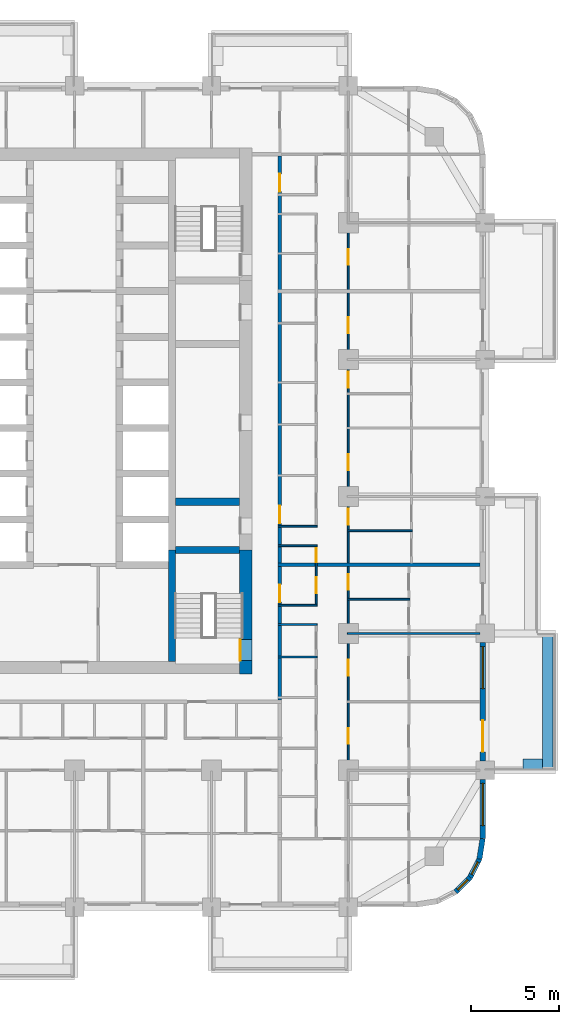
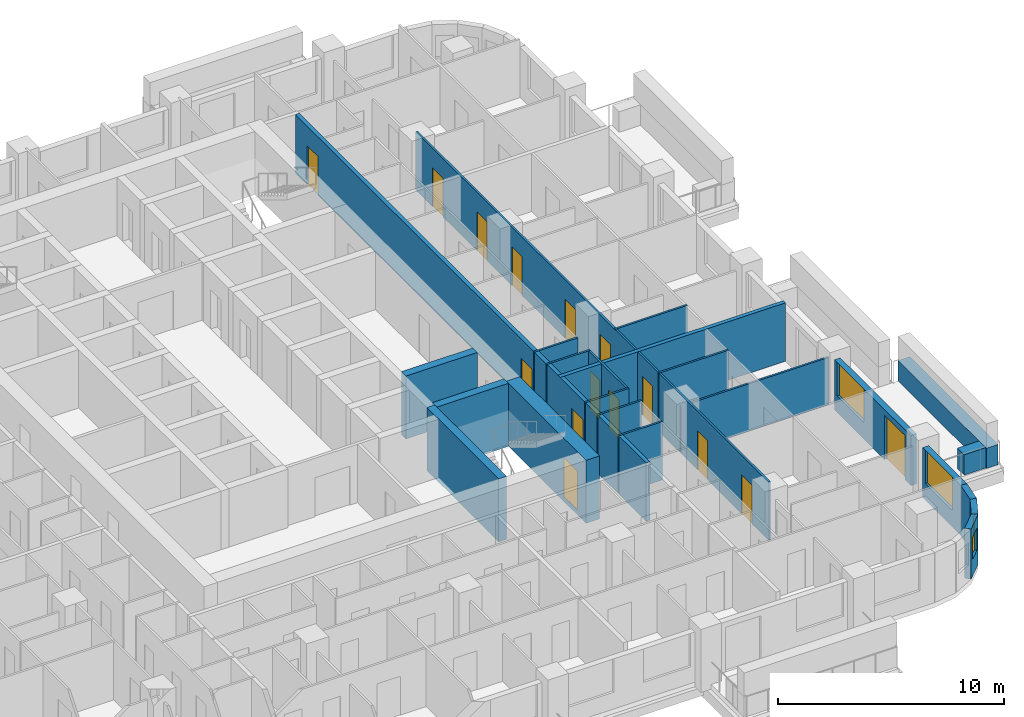
# One storey, part 8 of 17: 23 walls, 15 doors, 4 windows, 19 openings.
"""IFC4 building model written with IfcOpenShell, lengths in metres."""

from ifc_helpers import new_model, si_unit, direction, frame, frame_2d, origin, place, context, subcontext, project, spatial, rectangle, extrude, material, layer, layer_set, type_object, element, fill, save


model = new_model("IFC4")

# Units and contexts
model_context = context("Model", 3, precision=1e-05, world=origin(), true_north=direction((0.0, 1.0)))
body_context = subcontext(model_context, "Body", "Model", "MODEL_VIEW")
ifc_project = project(units=[si_unit("LENGTHUNIT", "METRE"), si_unit("AREAUNIT", "SQUARE_METRE"), si_unit("VOLUMEUNIT", "CUBIC_METRE"), si_unit("PLANEANGLEUNIT", "RADIAN"), si_unit("MASSUNIT", "GRAM", prefix="KILO")], contexts=[model_context])

# Site, building, storey
site_placement = place(None, origin())
site = spatial("IfcSite", under=ifc_project, at=site_placement, CompositionType="ELEMENT")
building_placement = place(site_placement, origin())
building = spatial("IfcBuilding", under=site, at=building_placement, Name="Ludao Terraces", CompositionType="ELEMENT")
storey_placement = place(building_placement, frame((0.0, 0.0, 22.89990234375)))
storey = spatial("IfcBuildingStorey", under=building, at=storey_placement, Name="L05", CompositionType="ELEMENT", Elevation=22.89990234375)

# Wall, opening, door
ifc_material_1 = material(Name="Concrete C70", Category="concrete")
ifc_layer_1 = layer(ifc_material_1, 0.699951171875)
ifc_layer_set_1 = layer_set([ifc_layer_1], Name="Core wall 700 C70")
wall_type_1 = type_object("IfcWallType", Name="Core wall 700 C70", PredefinedType="SOLIDWALL", material=ifc_layer_set_1)
wall_1_placement = place(storey_placement, frame((94.75, 54.89990234375, -0.25), z_axis=(0.0, 0.0, 1.0), x_axis=(0.0, 1.0, 0.0)))
wall_1 = element("IfcWall", 1, at=wall_1_placement, inside=storey, type_object=wall_type_1, Name="Core wall L05 outer-E-S3", PredefinedType="SOLIDWALL", context=body_context, shape_type="SweptSolid", body=[
    extrude(rectangle(XDim=7.050048828125, YDim=0.699951171875, at=frame_2d((3.52490234375, 0.0))), origin(), (0.0, 0.0, 1.0), 3.400146484375),
])
opening_1_placement = place(wall_1_placement, frame((0.75, 0.0, 0.25)))
opening_1 = element("IfcOpeningElement", 2, at=opening_1_placement, cuts=wall_1, Name="Opening R01-057", PredefinedType="OPENING", context=body_context, shape_type="SweptSolid", body=[
    extrude(rectangle(XDim=1.199951171875, YDim=2.10009765625, at=frame_2d((0.60009765625, 1.050048828125))), frame((0.0, 0.35986328125, 0.0), z_axis=(0.0, -1.0, 0.0), x_axis=(1.0, 0.0, 0.0)), (0.0, 0.0, 1.0), 0.719970703125),
])
ifc_material_2 = material(Name="Steel Q235", Category="steel")
door_type_1 = type_object("IfcDoorType", Name="INT Stair door 1200", OperationType="DOUBLE_DOOR_SINGLE_SWING", PredefinedType="DOOR", material=ifc_material_2)
door_1_placement = place(opening_1_placement, origin())
door_1 = element("IfcDoor", 3, at=door_1_placement, inside=storey, type_object=door_type_1, Name="DOOR 057", OperationType="DOUBLE_DOOR_SINGLE_SWING", OverallHeight=2.10009765625, OverallWidth=1.199951171875, PredefinedType="DOOR", context=body_context, shape_type="SweptSolid", body=[
    extrude(rectangle(XDim=1.199951171875, YDim=2.10009765625, at=frame_2d((0.60009765625, 1.050048828125))), frame((0.0, 0.3349609375, 0.0), z_axis=(0.0, -1.0, 0.0), x_axis=(1.0, 0.0, 0.0)), (0.0, 0.0, 1.0), 0.050048828125),
])
fill(opening_1, door_1)

# Walls
ifc_material_3 = material(Name="Concrete C40", Category="concrete")
ifc_layer_2 = layer(ifc_material_3, 0.60009765625)
ifc_layer_set_2 = layer_set([ifc_layer_2], Name="ENV Planter trough 600")
wall_type_2 = type_object("IfcWallType", Name="ENV Planter trough 600", PredefinedType="USERDEFINED", material=ifc_layer_set_2)
wall_2_placement = place(storey_placement, frame((111.949951171875, 49.39990234375, 0.0), z_axis=(0.0, 0.0, 1.0), x_axis=(0.0, 1.0, 0.0)))
element("IfcWall", 4, at=wall_2_placement, inside=storey, type_object=wall_type_2, Name="PL-L05-E1", ObjectType="PLANTER", PredefinedType="USERDEFINED", context=body_context, shape_type="SweptSolid", body=[
    extrude(rectangle(XDim=7.800048828125, YDim=0.60009765625, at=frame_2d((3.89990234375, 0.0))), origin(), (0.0, 0.0, 1.0), 1.10009765625),
])
wall_3_placement = place(storey_placement, frame((111.64990234375, 49.75, 0.0), z_axis=(0.0, 0.0, 1.0), x_axis=(-1.0, 0.0, 0.0)))
element("IfcWall", 5, at=wall_3_placement, inside=storey, type_object=wall_type_2, Name="PL-L05-E1-SA", ObjectType="PLANTER", PredefinedType="USERDEFINED", context=body_context, shape_type="SweptSolid", body=[
    extrude(rectangle(XDim=1.099853515625, YDim=0.60009765625, at=frame_2d((0.5498046875, 0.0))), origin(), (0.0, 0.0, 1.0), 1.10009765625),
])

# Wall, opening, window
ifc_material_4 = material(Name="Granite cladding", Category="masonry")
ifc_layer_3 = layer(ifc_material_4, 0.0400390625, Category="stone")
ifc_material_5 = material(Name="Mineral wool")
ifc_layer_4 = layer(ifc_material_5, 0.06005859375)
ifc_layer_5 = layer(ifc_material_3, 0.199951171875, Category="concrete")
ifc_layer_set_3 = layer_set([ifc_layer_3, ifc_layer_4, ifc_layer_5], Name="ENV Stone-clad wall 300")
wall_type_3 = type_object("IfcWallType", Name="ENV Stone-clad wall 300", PredefinedType="SOLIDWALL", material=ifc_layer_set_3)
wall_4_placement = place(storey_placement, frame((108.25, 45.5, 0.0), z_axis=(0.0, 0.0, 1.0), x_axis=(0.0, 1.0, 0.0)))
wall_4 = element("IfcWall", 6, at=wall_4_placement, inside=storey, type_object=wall_type_3, Name="EW-L05-E1", PredefinedType="SOLIDWALL", context=body_context, shape_type="SweptSolid", body=[
    extrude(rectangle(XDim=3.375, YDim=0.300048828125, at=frame_2d((1.6875, 0.0))), origin(), (0.0, 0.0, 1.0), 2.7001953125),
])
opening_2_placement = place(wall_4_placement, frame((0.75, 0.0, 0.89990234375)))
opening_2 = element("IfcOpeningElement", 7, at=opening_2_placement, cuts=wall_4, Name="Opening W1", PredefinedType="OPENING", context=body_context, shape_type="SweptSolid", body=[
    extrude(rectangle(XDim=2.39990234375, YDim=1.800048828125, at=frame_2d((1.199951171875, 0.89990234375))), frame((0.0, 0.16015625, 0.0), z_axis=(0.0, -1.0, 0.0), x_axis=(1.0, 0.0, 0.0)), (0.0, 0.0, 1.0), 0.320068359375),
])
ifc_material_6 = material(Name="Clear glass in aluminium frame", Category="aluminium")
ifc_layer_6 = layer(ifc_material_6, 0.06005859375)
ifc_layer_set_4 = layer_set([ifc_layer_6], Name="ENV Window W1 2400x1800")
window_type_1 = type_object("IfcWindowType", Name="ENV Window W1 2400x1800", PartitioningType="DOUBLE_PANEL_VERTICAL", PredefinedType="WINDOW", material=ifc_layer_set_4)
window_1_placement = place(opening_2_placement, origin())
window_1 = element("IfcWindow", 8, at=window_1_placement, inside=storey, type_object=window_type_1, Name="W-L05-E1-1", OverallHeight=1.800048828125, OverallWidth=2.39990234375, PartitioningType="DOUBLE_PANEL_VERTICAL", PredefinedType="WINDOW", context=body_context, shape_type="SweptSolid", body=[
    extrude(rectangle(XDim=2.39990234375, YDim=1.800048828125, at=frame_2d((1.199951171875, 0.89990234375))), frame((0.0, 0.030029296875, 0.0), z_axis=(0.0, -1.0, 0.0), x_axis=(1.0, 0.0, 0.0)), (0.0, 0.0, 1.0), 0.06005859375),
])
fill(opening_2, window_1)

# Wall, openings, door, window
wall_5_placement = place(storey_placement, frame((108.25, 49.925048828125, 0.0), z_axis=(0.0, 0.0, 1.0), x_axis=(0.0, 1.0, 0.0)))
wall_5 = element("IfcWall", 9, at=wall_5_placement, inside=storey, type_object=wall_type_3, Name="EW-L05-E2", PredefinedType="SOLIDWALL", context=body_context, shape_type="SweptSolid", body=[
    extrude(rectangle(XDim=6.75, YDim=0.300048828125, at=frame_2d((3.375, 0.0))), origin(), (0.0, 0.0, 1.0), 2.7001953125),
])
opening_3_placement = place(wall_5_placement, frame((0.52490234375, 0.0, 0.0)))
opening_3 = element("IfcOpeningElement", 10, at=opening_3_placement, cuts=wall_5, Name="Opening BD", PredefinedType="OPENING", context=body_context, shape_type="SweptSolid", body=[
    extrude(rectangle(XDim=1.800048828125, YDim=2.39990234375, at=frame_2d((0.89990234375, 1.199951171875))), frame((0.0, 0.16015625, 0.0), z_axis=(0.0, -1.0, 0.0), x_axis=(1.0, 0.0, 0.0)), (0.0, 0.0, 1.0), 0.320068359375),
])
opening_4_placement = place(wall_5_placement, frame((4.125, 0.0, 0.89990234375)))
opening_4 = element("IfcOpeningElement", 11, at=opening_4_placement, cuts=wall_5, Name="Opening W1", PredefinedType="OPENING", context=body_context, shape_type="SweptSolid", body=[
    extrude(rectangle(XDim=2.39990234375, YDim=1.800048828125, at=frame_2d((1.199951171875, 0.89990234375))), frame((0.0, 0.16015625, 0.0), z_axis=(0.0, -1.0, 0.0), x_axis=(1.0, 0.0, 0.0)), (0.0, 0.0, 1.0), 0.320068359375),
])
ifc_material_7 = material(Name="Aluminium glazed door", Category="aluminium")
ifc_layer_7 = layer(ifc_material_7, 0.06005859375)
ifc_layer_set_5 = layer_set([ifc_layer_7], Name="ENV Balcony door BD 1800x2400")
door_type_2 = type_object("IfcDoorType", Name="ENV Balcony door BD 1800x2400", OperationType="DOUBLE_DOOR_SINGLE_SWING", PredefinedType="DOOR", material=ifc_layer_set_5)
door_2_placement = place(opening_3_placement, origin())
door_2 = element("IfcDoor", 12, at=door_2_placement, inside=storey, type_object=door_type_2, Name="BD-L05-E2-1", OperationType="DOUBLE_DOOR_SINGLE_SWING", OverallHeight=2.39990234375, OverallWidth=1.800048828125, PredefinedType="DOOR", context=body_context, shape_type="SweptSolid", body=[
    extrude(rectangle(XDim=1.800048828125, YDim=2.39990234375, at=frame_2d((0.89990234375, 1.199951171875))), frame((0.0, 0.02490234375, 0.0), z_axis=(0.0, -1.0, 0.0), x_axis=(1.0, 0.0, 0.0)), (0.0, 0.0, 1.0), 0.050048828125),
])
fill(opening_3, door_2)
window_2_placement = place(opening_4_placement, origin())
window_2 = element("IfcWindow", 13, at=window_2_placement, inside=storey, type_object=window_type_1, Name="W-L05-E2-2", OverallHeight=1.800048828125, OverallWidth=2.39990234375, PartitioningType="DOUBLE_PANEL_VERTICAL", PredefinedType="WINDOW", context=body_context, shape_type="SweptSolid", body=[
    extrude(rectangle(XDim=2.39990234375, YDim=1.800048828125, at=frame_2d((1.199951171875, 0.89990234375))), frame((0.0, 0.030029296875, 0.0), z_axis=(0.0, -1.0, 0.0), x_axis=(1.0, 0.0, 0.0)), (0.0, 0.0, 1.0), 0.06005859375),
])
fill(opening_4, window_2)

# Wall, opening, window
wall_6_placement = place(storey_placement, frame((106.7041015625, 42.46630859375, 0.0), z_axis=(0.0, 0.0, 1.0), x_axis=(0.707106781187, 0.707106781187, 0.0)))
wall_6 = element("IfcWall", 14, at=wall_6_placement, inside=storey, type_object=wall_type_3, Name="EW-L05-SE3", PredefinedType="SOLIDWALL", context=body_context, shape_type="SweptSolid", body=[
    extrude(rectangle(XDim=1.173095703125, YDim=0.300048828125, at=frame_2d((0.58642578125, 0.0))), origin(), (0.0, 0.0, 1.0), 2.7001953125),
])
opening_5_placement = place(wall_6_placement, frame((0.1865234375, 0.0, 0.89990234375)))
opening_5 = element("IfcOpeningElement", 15, at=opening_5_placement, cuts=wall_6, Name="Opening W3", PredefinedType="OPENING", context=body_context, shape_type="SweptSolid", body=[
    extrude(rectangle(XDim=0.800048828125, YDim=1.199951171875, at=frame_2d((0.39990234375, 0.60009765625))), frame((0.0, 0.16015625, 0.0), z_axis=(0.0, -1.0, 0.0), x_axis=(1.0, 0.0, 0.0)), (0.0, 0.0, 1.0), 0.320068359375),
])
ifc_layer_8 = layer(ifc_material_6, 0.06005859375)
ifc_layer_set_6 = layer_set([ifc_layer_8], Name="ENV Window W3 800x1200")
window_type_2 = type_object("IfcWindowType", Name="ENV Window W3 800x1200", PartitioningType="SINGLE_PANEL", PredefinedType="WINDOW", material=ifc_layer_set_6)
window_3_placement = place(opening_5_placement, origin())
window_3 = element("IfcWindow", 16, at=window_3_placement, inside=storey, type_object=window_type_2, Name="W-L05-SE3", OverallHeight=1.199951171875, OverallWidth=0.800048828125, PartitioningType="SINGLE_PANEL", PredefinedType="WINDOW", context=body_context, shape_type="SweptSolid", body=[
    extrude(rectangle(XDim=0.800048828125, YDim=1.199951171875, at=frame_2d((0.39990234375, 0.60009765625))), frame((0.0, 0.030029296875, 0.0), z_axis=(0.0, -1.0, 0.0), x_axis=(1.0, 0.0, 0.0)), (0.0, 0.0, 1.0), 0.06005859375),
])
fill(opening_5, window_3)

wall_7_placement = place(storey_placement, frame((107.53369140625, 43.2958984375, 0.0), z_axis=(0.0, 0.0, 1.0), x_axis=(0.454025524128, 0.890988677504, 0.0)))
wall_7 = element("IfcWall", 17, at=wall_7_placement, inside=storey, type_object=wall_type_3, Name="EW-L05-SE4", PredefinedType="SOLIDWALL", context=body_context, shape_type="SweptSolid", body=[
    extrude(rectangle(XDim=1.17333984375, YDim=0.300048828125, at=frame_2d((0.586669921875, 0.0))), origin(), (0.0, 0.0, 1.0), 2.7001953125),
])
opening_6_placement = place(wall_7_placement, frame((0.1865234375, 0.0, 0.89990234375)))
opening_6 = element("IfcOpeningElement", 18, at=opening_6_placement, cuts=wall_7, Name="Opening W3", PredefinedType="OPENING", context=body_context, shape_type="SweptSolid", body=[
    extrude(rectangle(XDim=0.800048828125, YDim=1.199951171875, at=frame_2d((0.39990234375, 0.60009765625))), frame((0.0, 0.16015625, 0.0), z_axis=(0.0, -1.0, 0.0), x_axis=(1.0, 0.0, 0.0)), (0.0, 0.0, 1.0), 0.320068359375),
])
window_4_placement = place(opening_6_placement, origin())
window_4 = element("IfcWindow", 19, at=window_4_placement, inside=storey, type_object=window_type_2, Name="W-L05-SE4", OverallHeight=1.199951171875, OverallWidth=0.800048828125, PartitioningType="SINGLE_PANEL", PredefinedType="WINDOW", context=body_context, shape_type="SweptSolid", body=[
    extrude(rectangle(XDim=0.800048828125, YDim=1.199951171875, at=frame_2d((0.39990234375, 0.60009765625))), frame((0.0, 0.030029296875, 0.0), z_axis=(0.0, -1.0, 0.0), x_axis=(1.0, 0.0, 0.0)), (0.0, 0.0, 1.0), 0.06005859375),
])
fill(opening_6, window_4)

# Wall
wall_8_placement = place(storey_placement, frame((108.06640625, 44.34130859375, 0.0), z_axis=(0.0, 0.0, 1.0), x_axis=(0.156496880861, 0.987678452879, 0.0)))
element("IfcWall", 20, at=wall_8_placement, inside=storey, type_object=wall_type_3, Name="EW-L05-SE5", PredefinedType="SOLIDWALL", context=body_context, shape_type="SweptSolid", body=[
    extrude(rectangle(XDim=1.173095703125, YDim=0.300048828125, at=frame_2d((0.58642578125, 0.0))), origin(), (0.0, 0.0, 1.0), 2.7001953125),
])

# Wall, openings, doors
ifc_material_8 = material(Name="Autoclaved aerated concrete block B06 A3.5", Category="concrete")
ifc_layer_9 = layer(ifc_material_8, 0.199951171875)
ifc_layer_set_7 = layer_set([ifc_layer_9], Name="INT Entrance wall 200")
wall_type_4 = type_object("IfcWallType", Name="INT Entrance wall 200", PredefinedType="PARTITIONING", material=ifc_layer_set_7)
wall_9_placement = place(storey_placement, frame((96.699951171875, 53.400146484375, 0.0), z_axis=(0.0, 0.0, 1.0), x_axis=(0.0, 1.0, 0.0)))
wall_9 = element("IfcWall", 21, at=wall_9_placement, inside=storey, type_object=wall_type_4, Name="PW-L05-PW110", PredefinedType="PARTITIONING", context=body_context, shape_type="SweptSolid", body=[
    extrude(rectangle(XDim=31.0, YDim=0.199951171875, at=frame_2d((15.5, 0.0))), origin(), (0.0, 0.0, 1.0), 3.150146484375),
])
opening_7_placement = place(wall_9_placement, frame((5.574951171875, 0.0, 0.0)))
opening_7 = element("IfcOpeningElement", 22, at=opening_7_placement, cuts=wall_9, Name="Opening R01-063", PredefinedType="OPENING", context=body_context, shape_type="SweptSolid", body=[
    extrude(rectangle(XDim=1.0, YDim=2.10009765625, at=frame_2d((0.5, 1.050048828125))), frame((0.0, 0.10986328125, 0.0), z_axis=(0.0, -1.0, 0.0), x_axis=(1.0, 0.0, 0.0)), (0.0, 0.0, 1.0), 0.219970703125),
])
opening_8_placement = place(wall_9_placement, frame((10.074951171875, 0.0, 0.0)))
opening_8 = element("IfcOpeningElement", 23, at=opening_8_placement, cuts=wall_9, Name="Opening R01-080", PredefinedType="OPENING", context=body_context, shape_type="SweptSolid", body=[
    extrude(rectangle(XDim=1.0, YDim=2.10009765625, at=frame_2d((0.5, 1.050048828125))), frame((0.0, 0.10986328125, 0.0), z_axis=(0.0, -1.0, 0.0), x_axis=(1.0, 0.0, 0.0)), (0.0, 0.0, 1.0), 0.219970703125),
])
opening_9_placement = place(wall_9_placement, frame((28.97509765625, 0.0, 0.0)))
opening_9 = element("IfcOpeningElement", 24, at=opening_9_placement, cuts=wall_9, Name="Opening R01-142", PredefinedType="OPENING", context=body_context, shape_type="SweptSolid", body=[
    extrude(rectangle(XDim=1.0, YDim=2.10009765625, at=frame_2d((0.5, 1.050048828125))), frame((0.0, 0.10986328125, 0.0), z_axis=(0.0, -1.0, 0.0), x_axis=(1.0, 0.0, 0.0)), (0.0, 0.0, 1.0), 0.219970703125),
])
door_type_3 = type_object("IfcDoorType", Name="INT Flat entrance door 1000", OperationType="SINGLE_SWING_LEFT", PredefinedType="DOOR", material=ifc_material_2)
door_3_placement = place(opening_7_placement, origin())
door_3 = element("IfcDoor", 25, at=door_3_placement, inside=storey, type_object=door_type_3, Name="DOOR 063", OperationType="SINGLE_SWING_LEFT", OverallHeight=2.10009765625, OverallWidth=1.0, PredefinedType="DOOR", context=body_context, shape_type="SweptSolid", body=[
    extrude(rectangle(XDim=1.0, YDim=2.10009765625, at=frame_2d((0.5, 1.050048828125))), frame((0.0, 0.02490234375, 0.0), z_axis=(0.0, -1.0, 0.0), x_axis=(1.0, 0.0, 0.0)), (0.0, 0.0, 1.0), 0.050048828125),
])
fill(opening_7, door_3)
door_4_placement = place(opening_8_placement, origin())
door_4 = element("IfcDoor", 26, at=door_4_placement, inside=storey, type_object=door_type_3, Name="DOOR 080", OperationType="SINGLE_SWING_LEFT", OverallHeight=2.10009765625, OverallWidth=1.0, PredefinedType="DOOR", context=body_context, shape_type="SweptSolid", body=[
    extrude(rectangle(XDim=1.0, YDim=2.10009765625, at=frame_2d((0.5, 1.050048828125))), frame((0.0, 0.02490234375, 0.0), z_axis=(0.0, -1.0, 0.0), x_axis=(1.0, 0.0, 0.0)), (0.0, 0.0, 1.0), 0.050048828125),
])
fill(opening_8, door_4)
door_5_placement = place(opening_9_placement, origin())
door_5 = element("IfcDoor", 27, at=door_5_placement, inside=storey, type_object=door_type_3, Name="DOOR 142", OperationType="SINGLE_SWING_LEFT", OverallHeight=2.10009765625, OverallWidth=1.0, PredefinedType="DOOR", context=body_context, shape_type="SweptSolid", body=[
    extrude(rectangle(XDim=1.0, YDim=2.10009765625, at=frame_2d((0.5, 1.050048828125))), frame((0.0, 0.02490234375, 0.0), z_axis=(0.0, -1.0, 0.0), x_axis=(1.0, 0.0, 0.0)), (0.0, 0.0, 1.0), 0.050048828125),
])
fill(opening_9, door_5)

# Walls
ifc_material_9 = material(Name="Gypsum plasterboard", Category="gypsum")
ifc_layer_10 = layer(ifc_material_9, 0.012451171875, Category="gypsum")
ifc_layer_11 = layer(ifc_material_5, 0.06005859375, Name="insulation")
ifc_layer_12 = layer(ifc_material_2, 0.014892578125, Name="stud")
ifc_layer_13 = layer(ifc_material_9, 0.012451171875, Category="gypsum")
ifc_layer_set_8 = layer_set([ifc_layer_10, ifc_layer_11, ifc_layer_12, ifc_layer_13], Name="INT Partition 100")
wall_type_5 = type_object("IfcWallType", Name="INT Partition 100", PredefinedType="PARTITIONING", material=ifc_layer_set_8)
wall_10_placement = place(storey_placement, frame((96.60009765625, 55.85009765625, 0.0), z_axis=(0.0, 0.0, 1.0), x_axis=(1.0, 0.0, 0.0)))
element("IfcWall", 28, at=wall_10_placement, inside=storey, type_object=wall_type_5, Name="PW-L05-PW023", PredefinedType="PARTITIONING", context=body_context, shape_type="SweptSolid", body=[
    extrude(rectangle(XDim=2.219970703125, YDim=0.10009765625, at=frame_2d((1.10986328125, 0.0))), origin(), (0.0, 0.0, 1.0), 3.150146484375),
])
wall_11_placement = place(storey_placement, frame((100.550048828125, 57.199951171875, 0.0), z_axis=(0.0, 0.0, 1.0), x_axis=(1.0, 0.0, 0.0)))
element("IfcWall", 29, at=wall_11_placement, inside=storey, type_object=wall_type_5, Name="PW-L05-PW025", PredefinedType="PARTITIONING", context=body_context, shape_type="SweptSolid", body=[
    extrude(rectangle(XDim=7.550048828125, YDim=0.10009765625, at=frame_2d((3.77490234375, 0.0))), origin(), (0.0, 0.0, 1.0), 2.550048828125),
])
for number, where, z_axis, x_axis, name in (
    (30, (96.60009765625, 57.699951171875, 0.0), (0.0, 0.0, 1.0), (1.0, 0.0, 0.0), "PW-L05-PW026"),
    (31, (96.60009765625, 58.800048828125, 0.0), (0.0, 0.0, 1.0), (1.0, 0.0, 0.0), "PW-L05-PW028"),
):
    element("IfcWall", number, at=place(storey_placement, frame(where, z_axis=z_axis, x_axis=x_axis)), inside=storey, type_object=wall_type_5, Name=name, PredefinedType="PARTITIONING", context=body_context, shape_type="SweptSolid", body=[
        extrude(rectangle(XDim=2.219970703125, YDim=0.10009765625, at=frame_2d((1.10986328125, 0.0))), origin(), (0.0, 0.0, 1.0), 3.150146484375),
    ])
wall_12_placement = place(storey_placement, frame((100.550048828125, 59.14990234375, 0.0), z_axis=(0.0, 0.0, 1.0), x_axis=(1.0, 0.0, 0.0)))
element("IfcWall", 32, at=wall_12_placement, inside=storey, type_object=wall_type_5, Name="PW-L05-PW030", PredefinedType="PARTITIONING", context=body_context, shape_type="SweptSolid", body=[
    extrude(rectangle(XDim=3.550048828125, YDim=0.10009765625, at=frame_2d((1.77490234375, 0.0))), origin(), (0.0, 0.0, 1.0), 3.150146484375),
])
wall_13_placement = place(storey_placement, frame((96.60009765625, 62.199951171875, 0.0), z_axis=(0.0, 0.0, 1.0), x_axis=(1.0, 0.0, 0.0)))
element("IfcWall", 33, at=wall_13_placement, inside=storey, type_object=wall_type_5, Name="PW-L05-PW034", PredefinedType="PARTITIONING", context=body_context, shape_type="SweptSolid", body=[
    extrude(rectangle(XDim=2.219970703125, YDim=0.10009765625, at=frame_2d((1.10986328125, 0.0))), origin(), (0.0, 0.0, 1.0), 3.150146484375),
])
wall_14_placement = place(storey_placement, frame((100.550048828125, 63.050048828125, 0.0), z_axis=(0.0, 0.0, 1.0), x_axis=(1.0, 0.0, 0.0)))
element("IfcWall", 34, at=wall_14_placement, inside=storey, type_object=wall_type_5, Name="PW-L05-PW036", PredefinedType="PARTITIONING", context=body_context, shape_type="SweptSolid", body=[
    extrude(rectangle(XDim=3.699951171875, YDim=0.10009765625, at=frame_2d((1.85009765625, 0.0))), origin(), (0.0, 0.0, 1.0), 3.150146484375),
])
wall_15_placement = place(storey_placement, frame((96.60009765625, 63.300048828125, 0.0), z_axis=(0.0, 0.0, 1.0), x_axis=(1.0, 0.0, 0.0)))
element("IfcWall", 35, at=wall_15_placement, inside=storey, type_object=wall_type_5, Name="PW-L05-PW037", PredefinedType="PARTITIONING", context=body_context, shape_type="SweptSolid", body=[
    extrude(rectangle(XDim=2.219970703125, YDim=0.10009765625, at=frame_2d((1.10986328125, 0.0))), origin(), (0.0, 0.0, 1.0), 3.150146484375),
])

# Wall, openings, doors
wall_16_placement = place(storey_placement, frame((98.77001953125, 58.85009765625, 0.0), z_axis=(0.0, 0.0, 1.0), x_axis=(0.0, 1.0, 0.0)))
wall_16 = element("IfcWall", 36, at=wall_16_placement, inside=storey, type_object=wall_type_5, Name="PW-L05-PW113", PredefinedType="PARTITIONING", context=body_context, shape_type="SweptSolid", body=[
    extrude(rectangle(XDim=3.300048828125, YDim=0.10009765625, at=frame_2d((1.64990234375, 0.0))), origin(), (0.0, 0.0, 1.0), 3.150146484375),
])
opening_10_placement = place(wall_16_placement, frame((0.64990234375, 0.0, 0.0)))
opening_10 = element("IfcOpeningElement", 37, at=opening_10_placement, cuts=wall_16, Name="Opening R01-065", PredefinedType="OPENING", context=body_context, shape_type="SweptSolid", body=[
    extrude(rectangle(XDim=0.89990234375, YDim=2.10009765625, at=frame_2d((0.449951171875, 1.050048828125))), frame((0.0, 0.06005859375, 0.0), z_axis=(0.0, -1.0, 0.0), x_axis=(1.0, 0.0, 0.0)), (0.0, 0.0, 1.0), 0.1201171875),
])
opening_11_placement = place(wall_16_placement, frame((2.39990234375, 0.0, 0.0)))
opening_11 = element("IfcOpeningElement", 38, at=opening_11_placement, cuts=wall_16, Name="Opening R01-071", PredefinedType="OPENING", context=body_context, shape_type="SweptSolid", body=[
    extrude(rectangle(XDim=0.800048828125, YDim=2.10009765625, at=frame_2d((0.39990234375, 1.050048828125))), frame((0.0, 0.06005859375, 0.0), z_axis=(0.0, -1.0, 0.0), x_axis=(1.0, 0.0, 0.0)), (0.0, 0.0, 1.0), 0.1201171875),
])
ifc_material_10 = material(Name="Timber door leaf", Category="wood")
door_type_4 = type_object("IfcDoorType", Name="INT Room door 900", OperationType="SINGLE_SWING_LEFT", PredefinedType="DOOR", material=ifc_material_10)
door_6_placement = place(opening_10_placement, origin())
door_6 = element("IfcDoor", 39, at=door_6_placement, inside=storey, type_object=door_type_4, Name="DOOR 065", OperationType="SINGLE_SWING_RIGHT", OverallHeight=2.10009765625, OverallWidth=0.89990234375, PredefinedType="DOOR", context=body_context, shape_type="SweptSolid", body=[
    extrude(rectangle(XDim=0.89990234375, YDim=2.10009765625, at=frame_2d((0.449951171875, 1.050048828125))), frame((0.0, 0.02490234375, 0.0), z_axis=(0.0, -1.0, 0.0), x_axis=(1.0, 0.0, 0.0)), (0.0, 0.0, 1.0), 0.050048828125),
])
fill(opening_10, door_6)
door_type_5 = type_object("IfcDoorType", Name="INT Store door 800", OperationType="SINGLE_SWING_LEFT", PredefinedType="DOOR", material=ifc_material_10)
door_7_placement = place(opening_11_placement, origin())
door_7 = element("IfcDoor", 40, at=door_7_placement, inside=storey, type_object=door_type_5, Name="DOOR 071", OperationType="SINGLE_SWING_LEFT", OverallHeight=2.10009765625, OverallWidth=0.800048828125, PredefinedType="DOOR", context=body_context, shape_type="SweptSolid", body=[
    extrude(rectangle(XDim=0.800048828125, YDim=2.10009765625, at=frame_2d((0.39990234375, 1.050048828125))), frame((0.0, 0.02490234375, 0.0), z_axis=(0.0, -1.0, 0.0), x_axis=(1.0, 0.0, 0.0)), (0.0, 0.0, 1.0), 0.050048828125),
])
fill(opening_11, door_7)

wall_17_placement = place(storey_placement, frame((100.60009765625, 49.39990234375, 0.0), z_axis=(0.0, 0.0, 1.0), x_axis=(0.0, 1.0, 0.0)))
wall_17 = element("IfcWall", 41, at=wall_17_placement, inside=storey, type_object=wall_type_5, Name="PW-L05-PW116-2", PredefinedType="PARTITIONING", context=body_context, shape_type="SweptSolid", body=[
    extrude(rectangle(XDim=31.2001953125, YDim=0.10009765625, at=frame_2d((15.60009765625, 0.0))), origin(), (0.0, 0.0, 1.0), 3.150146484375),
])
opening_12_placement = place(wall_17_placement, frame((1.500244140625, 0.0, 0.0)))
opening_12 = element("IfcOpeningElement", 42, at=opening_12_placement, cuts=wall_17, Name="Opening R01-043", PredefinedType="OPENING", context=body_context, shape_type="SweptSolid", body=[
    extrude(rectangle(XDim=0.89990234375, YDim=2.10009765625, at=frame_2d((0.449951171875, 1.050048828125))), frame((0.0, 0.06005859375, 0.0), z_axis=(0.0, -1.0, 0.0), x_axis=(1.0, 0.0, 0.0)), (0.0, 0.0, 1.0), 0.1201171875),
])
opening_13_placement = place(wall_17_placement, frame((5.400146484375, 0.0, 0.0)))
opening_13 = element("IfcOpeningElement", 43, at=opening_13_placement, cuts=wall_17, Name="Opening R01-052", PredefinedType="OPENING", context=body_context, shape_type="SweptSolid", body=[
    extrude(rectangle(XDim=0.89990234375, YDim=2.10009765625, at=frame_2d((0.449951171875, 1.050048828125))), frame((0.0, 0.06005859375, 0.0), z_axis=(0.0, -1.0, 0.0), x_axis=(1.0, 0.0, 0.0)), (0.0, 0.0, 1.0), 0.1201171875),
])
opening_14_placement = place(wall_17_placement, frame((10.275146484375, 0.0, 0.0)))
opening_14 = element("IfcOpeningElement", 44, at=opening_14_placement, cuts=wall_17, Name="Opening R01-068", PredefinedType="OPENING", context=body_context, shape_type="SweptSolid", body=[
    extrude(rectangle(XDim=0.89990234375, YDim=2.10009765625, at=frame_2d((0.449951171875, 1.050048828125))), frame((0.0, 0.06005859375, 0.0), z_axis=(0.0, -1.0, 0.0), x_axis=(1.0, 0.0, 0.0)), (0.0, 0.0, 1.0), 0.1201171875),
])
opening_15_placement = place(wall_17_placement, frame((14.000244140625, 0.0, 0.0)))
opening_15 = element("IfcOpeningElement", 45, at=opening_15_placement, cuts=wall_17, Name="Opening R01-079", PredefinedType="OPENING", context=body_context, shape_type="SweptSolid", body=[
    extrude(rectangle(XDim=0.89990234375, YDim=2.10009765625, at=frame_2d((0.449951171875, 1.050048828125))), frame((0.0, 0.06005859375, 0.0), z_axis=(0.0, -1.0, 0.0), x_axis=(1.0, 0.0, 0.0)), (0.0, 0.0, 1.0), 0.1201171875),
])
opening_16_placement = place(wall_17_placement, frame((17.10009765625, 0.0, 0.0)))
opening_16 = element("IfcOpeningElement", 46, at=opening_16_placement, cuts=wall_17, Name="Opening R01-088", PredefinedType="OPENING", context=body_context, shape_type="SweptSolid", body=[
    extrude(rectangle(XDim=0.89990234375, YDim=2.10009765625, at=frame_2d((0.449951171875, 1.050048828125))), frame((0.0, 0.06005859375, 0.0), z_axis=(0.0, -1.0, 0.0), x_axis=(1.0, 0.0, 0.0)), (0.0, 0.0, 1.0), 0.1201171875),
])
opening_17_placement = place(wall_17_placement, frame((21.80029296875, 0.0, 0.0)))
opening_17 = element("IfcOpeningElement", 47, at=opening_17_placement, cuts=wall_17, Name="Opening R01-103", PredefinedType="OPENING", context=body_context, shape_type="SweptSolid", body=[
    extrude(rectangle(XDim=0.89990234375, YDim=2.10009765625, at=frame_2d((0.449951171875, 1.050048828125))), frame((0.0, 0.06005859375, 0.0), z_axis=(0.0, -1.0, 0.0), x_axis=(1.0, 0.0, 0.0)), (0.0, 0.0, 1.0), 0.1201171875),
])
opening_18_placement = place(wall_17_placement, frame((24.900146484375, 0.0, 0.0)))
opening_18 = element("IfcOpeningElement", 48, at=opening_18_placement, cuts=wall_17, Name="Opening R01-113", PredefinedType="OPENING", context=body_context, shape_type="SweptSolid", body=[
    extrude(rectangle(XDim=0.89990234375, YDim=2.10009765625, at=frame_2d((0.449951171875, 1.050048828125))), frame((0.0, 0.06005859375, 0.0), z_axis=(0.0, -1.0, 0.0), x_axis=(1.0, 0.0, 0.0)), (0.0, 0.0, 1.0), 0.1201171875),
])
opening_19_placement = place(wall_17_placement, frame((28.80029296875, 0.0, 0.0)))
opening_19 = element("IfcOpeningElement", 49, at=opening_19_placement, cuts=wall_17, Name="Opening R01-129", PredefinedType="OPENING", context=body_context, shape_type="SweptSolid", body=[
    extrude(rectangle(XDim=0.89990234375, YDim=2.10009765625, at=frame_2d((0.449951171875, 1.050048828125))), frame((0.0, 0.06005859375, 0.0), z_axis=(0.0, -1.0, 0.0), x_axis=(1.0, 0.0, 0.0)), (0.0, 0.0, 1.0), 0.1201171875),
])
door_8_placement = place(opening_12_placement, origin())
door_8 = element("IfcDoor", 50, at=door_8_placement, inside=storey, type_object=door_type_4, Name="DOOR 043", OperationType="SINGLE_SWING_LEFT", OverallHeight=2.10009765625, OverallWidth=0.89990234375, PredefinedType="DOOR", context=body_context, shape_type="SweptSolid", body=[
    extrude(rectangle(XDim=0.89990234375, YDim=2.10009765625, at=frame_2d((0.449951171875, 1.050048828125))), frame((0.0, 0.02490234375, 0.0), z_axis=(0.0, -1.0, 0.0), x_axis=(1.0, 0.0, 0.0)), (0.0, 0.0, 1.0), 0.050048828125),
])
fill(opening_12, door_8)
door_9_placement = place(opening_13_placement, origin())
door_9 = element("IfcDoor", 51, at=door_9_placement, inside=storey, type_object=door_type_4, Name="DOOR 052", OperationType="SINGLE_SWING_RIGHT", OverallHeight=2.10009765625, OverallWidth=0.89990234375, PredefinedType="DOOR", context=body_context, shape_type="SweptSolid", body=[
    extrude(rectangle(XDim=0.89990234375, YDim=2.10009765625, at=frame_2d((0.449951171875, 1.050048828125))), frame((0.0, 0.02490234375, 0.0), z_axis=(0.0, -1.0, 0.0), x_axis=(1.0, 0.0, 0.0)), (0.0, 0.0, 1.0), 0.050048828125),
])
fill(opening_13, door_9)
door_10_placement = place(opening_14_placement, origin())
door_10 = element("IfcDoor", 52, at=door_10_placement, inside=storey, type_object=door_type_4, Name="DOOR 068", OperationType="SINGLE_SWING_RIGHT", OverallHeight=2.10009765625, OverallWidth=0.89990234375, PredefinedType="DOOR", context=body_context, shape_type="SweptSolid", body=[
    extrude(rectangle(XDim=0.89990234375, YDim=2.10009765625, at=frame_2d((0.449951171875, 1.050048828125))), frame((0.0, 0.02490234375, 0.0), z_axis=(0.0, -1.0, 0.0), x_axis=(1.0, 0.0, 0.0)), (0.0, 0.0, 1.0), 0.050048828125),
])
fill(opening_14, door_10)
door_11_placement = place(opening_15_placement, origin())
door_11 = element("IfcDoor", 53, at=door_11_placement, inside=storey, type_object=door_type_4, Name="DOOR 079", OperationType="SINGLE_SWING_RIGHT", OverallHeight=2.10009765625, OverallWidth=0.89990234375, PredefinedType="DOOR", context=body_context, shape_type="SweptSolid", body=[
    extrude(rectangle(XDim=0.89990234375, YDim=2.10009765625, at=frame_2d((0.449951171875, 1.050048828125))), frame((0.0, 0.02490234375, 0.0), z_axis=(0.0, -1.0, 0.0), x_axis=(1.0, 0.0, 0.0)), (0.0, 0.0, 1.0), 0.050048828125),
])
fill(opening_15, door_11)
door_12_placement = place(opening_16_placement, origin())
door_12 = element("IfcDoor", 54, at=door_12_placement, inside=storey, type_object=door_type_4, Name="DOOR 088", OperationType="SINGLE_SWING_RIGHT", OverallHeight=2.10009765625, OverallWidth=0.89990234375, PredefinedType="DOOR", context=body_context, shape_type="SweptSolid", body=[
    extrude(rectangle(XDim=0.89990234375, YDim=2.10009765625, at=frame_2d((0.449951171875, 1.050048828125))), frame((0.0, 0.02490234375, 0.0), z_axis=(0.0, -1.0, 0.0), x_axis=(1.0, 0.0, 0.0)), (0.0, 0.0, 1.0), 0.050048828125),
])
fill(opening_16, door_12)
door_13_placement = place(opening_17_placement, origin())
door_13 = element("IfcDoor", 55, at=door_13_placement, inside=storey, type_object=door_type_4, Name="DOOR 103", OperationType="SINGLE_SWING_RIGHT", OverallHeight=2.10009765625, OverallWidth=0.89990234375, PredefinedType="DOOR", context=body_context, shape_type="SweptSolid", body=[
    extrude(rectangle(XDim=0.89990234375, YDim=2.10009765625, at=frame_2d((0.449951171875, 1.050048828125))), frame((0.0, 0.02490234375, 0.0), z_axis=(0.0, -1.0, 0.0), x_axis=(1.0, 0.0, 0.0)), (0.0, 0.0, 1.0), 0.050048828125),
])
fill(opening_17, door_13)
door_14_placement = place(opening_18_placement, origin())
door_14 = element("IfcDoor", 56, at=door_14_placement, inside=storey, type_object=door_type_4, Name="DOOR 113", OperationType="SINGLE_SWING_RIGHT", OverallHeight=2.10009765625, OverallWidth=0.89990234375, PredefinedType="DOOR", context=body_context, shape_type="SweptSolid", body=[
    extrude(rectangle(XDim=0.89990234375, YDim=2.10009765625, at=frame_2d((0.449951171875, 1.050048828125))), frame((0.0, 0.02490234375, 0.0), z_axis=(0.0, -1.0, 0.0), x_axis=(1.0, 0.0, 0.0)), (0.0, 0.0, 1.0), 0.050048828125),
])
fill(opening_18, door_14)
door_15_placement = place(opening_19_placement, origin())
door_15 = element("IfcDoor", 57, at=door_15_placement, inside=storey, type_object=door_type_4, Name="DOOR 129", OperationType="SINGLE_SWING_RIGHT", OverallHeight=2.10009765625, OverallWidth=0.89990234375, PredefinedType="DOOR", context=body_context, shape_type="SweptSolid", body=[
    extrude(rectangle(XDim=0.89990234375, YDim=2.10009765625, at=frame_2d((0.449951171875, 1.050048828125))), frame((0.0, 0.02490234375, 0.0), z_axis=(0.0, -1.0, 0.0), x_axis=(1.0, 0.0, 0.0)), (0.0, 0.0, 1.0), 0.050048828125),
])
fill(opening_19, door_15)

# Walls
ifc_layer_14 = layer(ifc_material_8, 0.199951171875)
ifc_layer_set_9 = layer_set([ifc_layer_14], Name="INT Party wall 200")
wall_type_6 = type_object("IfcWallType", Name="INT Party wall 200", PredefinedType="PARTITIONING", material=ifc_layer_set_9)
wall_18_placement = place(storey_placement, frame((96.60009765625, 61.10009765625, 0.0), z_axis=(0.0, 0.0, 1.0), x_axis=(1.0, 0.0, 0.0)))
element("IfcWall", 58, at=wall_18_placement, inside=storey, type_object=wall_type_6, Name="PW-L05-PW033", PredefinedType="PARTITIONING", context=body_context, shape_type="SweptSolid", body=[
    extrude(rectangle(XDim=11.5, YDim=0.199951171875, at=frame_2d((5.75, 0.0))), origin(), (0.0, 0.0, 1.0), 3.150146484375),
])
ifc_material_11 = material(Name="Concrete C60", Category="concrete")
ifc_layer_15 = layer(ifc_material_11, 0.39990234375)
ifc_layer_set_10 = layer_set([ifc_layer_15], Name="Shaft wall 400 C60")
wall_type_7 = type_object("IfcWallType", Name="Shaft wall 400 C60", PredefinedType="SOLIDWALL", material=ifc_layer_set_10)
wall_19_placement = place(storey_placement, frame((90.550048828125, 55.60009765625, -0.25), z_axis=(0.0, 0.0, 1.0), x_axis=(0.0, 1.0, 0.0)))
element("IfcWall", 59, at=wall_19_placement, inside=storey, type_object=wall_type_7, Name="Core wall L05 back-E-S3", PredefinedType="SOLIDWALL", context=body_context, shape_type="SweptSolid", body=[
    extrude(rectangle(XDim=6.349853515625, YDim=0.39990234375, at=frame_2d((3.1748046875, 0.0))), origin(), (0.0, 0.0, 1.0), 3.400146484375),
])
for number, where, z_axis, x_axis, name in (
    (60, (90.75, 61.949951171875, -0.25), (0.0, 0.0, 1.0), (1.0, 0.0, 0.0), "Core wall L05 hall-E"),
    (61, (90.75, 64.699951171875, -0.25), (0.0, 0.0, 1.0), (1.0, 0.0, 0.0), "Core wall L05 riser-a-E"),
):
    element("IfcWall", number, at=place(storey_placement, frame(where, z_axis=z_axis, x_axis=x_axis)), inside=storey, type_object=wall_type_7, Name=name, PredefinedType="SOLIDWALL", context=body_context, shape_type="SweptSolid", body=[
        extrude(rectangle(XDim=3.64990234375, YDim=0.39990234375, at=frame_2d((1.824951171875, 0.0))), origin(), (0.0, 0.0, 1.0), 3.400146484375),
    ])

save(model, "model.ifc")
